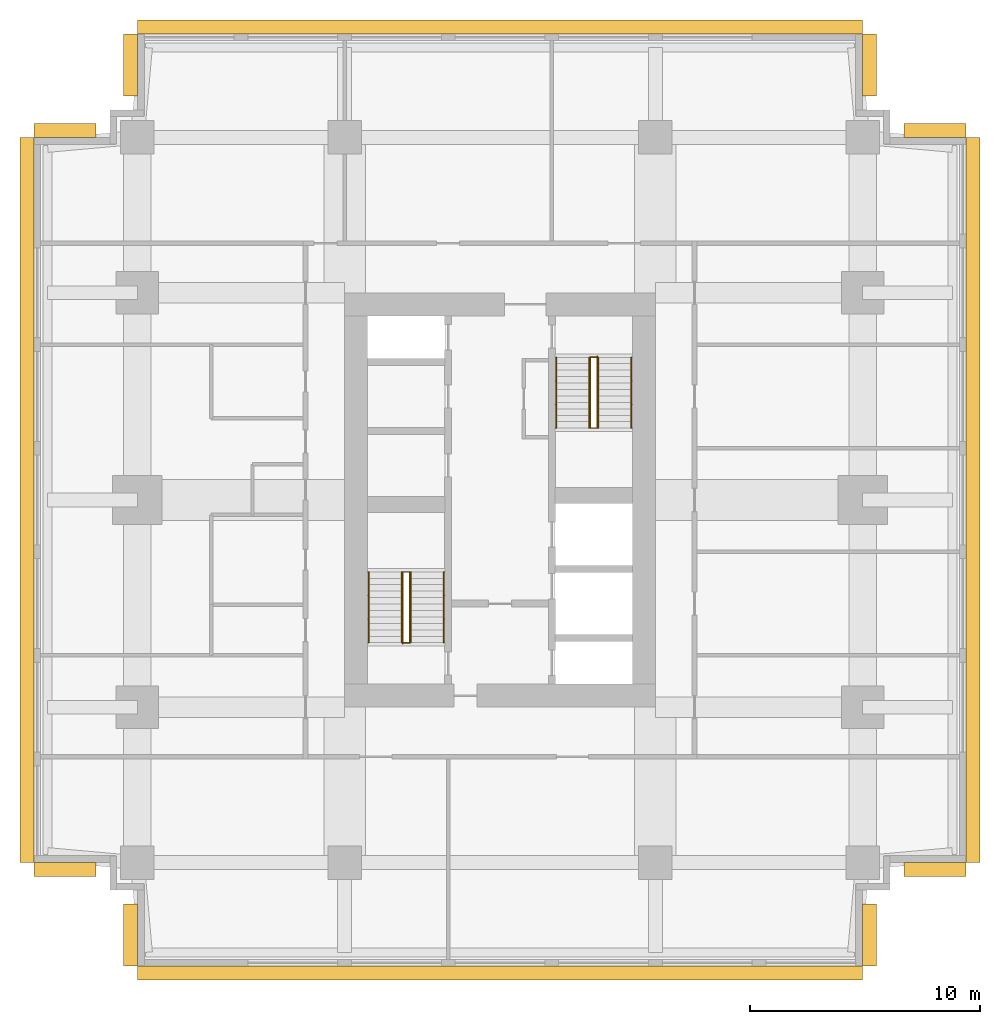
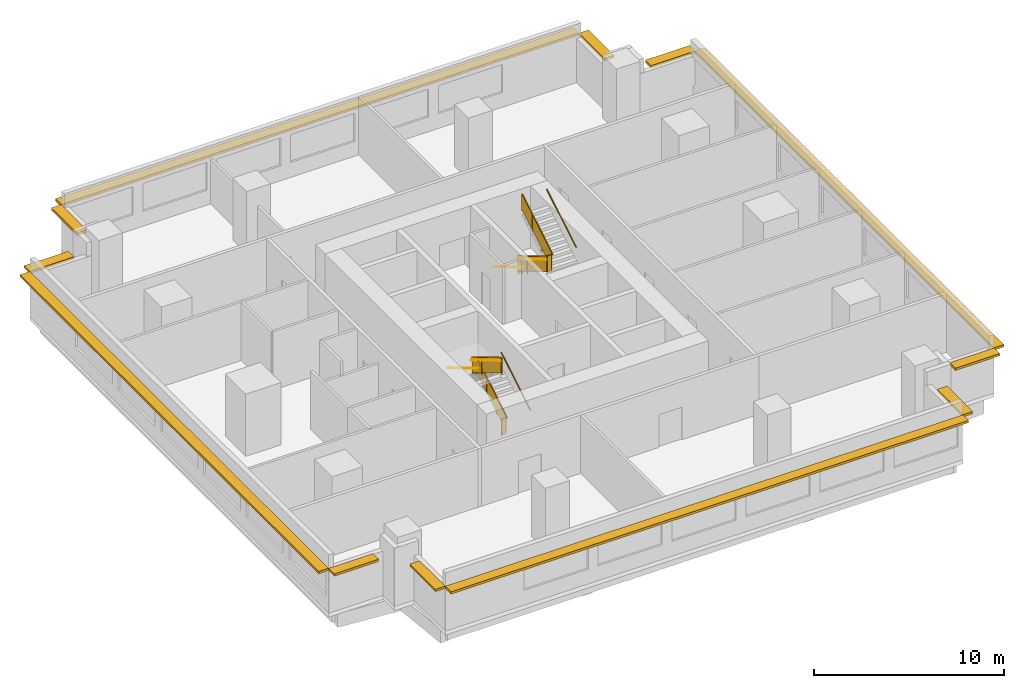
# One storey, part 5 of 5: 12 shading devices, 10 railings.
"""IFC4 building model written with IfcOpenShell, lengths in metres."""

import ifcopenshell
import ifcopenshell.guid

model = None  # the IFC model being written
_history = None  # IfcOwnerHistory: only IFC2X3 demands one
_inside = {}  # id of a spatial element -> (the spatial element, [elements in it])
_under = {}  # id of a project, library or spatial element -> (it, [spatial elements below it])
_declared = {}  # id of a project -> (the project, [libraries it declares])
_typed = {}  # id of a type object -> (the type object, [elements of that type])
_made_of = {}  # id of a material, layer set ... -> (it, [elements and type objects made of it])


def new_model(schema):
    """Start an empty IFC model of exactly this schema.

    Asked for "IFC4X3", IfcOpenShell would pick the latest addendum, in which some entities
    have other attributes; the version numbers below select the first issue.
    IFC2X3 requires an IfcOwnerHistory on every rooted entity: one is made here for all.
    """
    global model, _history
    if schema == "IFC4X3":
        model = ifcopenshell.file(schema_version=(4, 3, 0, 0))
    else:
        model = ifcopenshell.file(schema=schema)
    _inside.clear()
    _under.clear()
    _declared.clear()
    _typed.clear()
    _made_of.clear()
    _history = None
    if model.schema == "IFC2X3":
        org = make("IfcOrganization", Name="unknown")
        user = make(
            "IfcPersonAndOrganization",
            ThePerson=make("IfcPerson", FamilyName="unknown"),
            TheOrganization=org,
        )
        app = make(
            "IfcApplication",
            ApplicationDeveloper=org,
            Version="unknown",
            ApplicationFullName="unknown",
            ApplicationIdentifier="unknown",
        )
        _history = make(
            "IfcOwnerHistory",
            OwningUser=user,
            OwningApplication=app,
            ChangeAction="ADDED",
            CreationDate=0,
        )
    return model


def make(cls, **values):
    """One entity of the class cls with the attributes given. An attribute that is None is left unset."""
    return model.create_entity(
        cls, **{name: value for name, value in values.items() if value is not None}
    )


def rooted(cls, **values):
    """An entity with a GlobalId (a new one), such as an element, a storey or a relation."""
    return make(cls, GlobalId=ifcopenshell.guid.new(), OwnerHistory=_history, **values)


def si_unit(unit_type, name, prefix=None):
    """IfcSIUnit, for example si_unit("LENGTHUNIT", "METRE", prefix="MILLI")."""
    return make("IfcSIUnit", UnitType=unit_type, Prefix=prefix, Name=name)


def assignment(units):
    """IfcUnitAssignment: the units of a project."""
    return None if units is None else make("IfcUnitAssignment", Units=units)


def point(xyz):
    """IfcCartesianPoint."""
    return None if xyz is None else make("IfcCartesianPoint", Coordinates=xyz)


def direction(xyz):
    """IfcDirection."""
    return None if xyz is None else make("IfcDirection", DirectionRatios=xyz)


def frame(location, z_axis=None, x_axis=None):
    """IfcAxis2Placement3D, a coordinate frame: its origin and axes. An axis left out is left unset."""
    return make(
        "IfcAxis2Placement3D",
        Location=point(location),
        Axis=direction(z_axis),
        RefDirection=direction(x_axis),
    )


def frame_2d(location, x_axis=None):
    """IfcAxis2Placement2D, a coordinate frame in the plane: its origin and x axis."""
    return make(
        "IfcAxis2Placement2D", Location=point(location), RefDirection=direction(x_axis)
    )


def origin():
    """The frame at (0, 0, 0) with its axes left unset."""
    return frame((0.0, 0.0, 0.0))


def origin_2d():
    """The frame at (0, 0) in the plane with its x axis left unset."""
    return frame_2d((0.0, 0.0))


def place(relative_to, where):
    """IfcLocalPlacement: puts the frame where relative to a parent placement (None: the world)."""
    return make(
        "IfcLocalPlacement", PlacementRelTo=relative_to, RelativePlacement=where
    )


def context(
    kind, dimensions, precision=None, world=None, true_north=None, identifier=None
):
    """IfcGeometricRepresentationContext, for example the 3D "Model" context."""
    return make(
        "IfcGeometricRepresentationContext",
        ContextIdentifier=identifier,
        ContextType=kind,
        CoordinateSpaceDimension=dimensions,
        Precision=precision,
        WorldCoordinateSystem=world,
        TrueNorth=true_north,
    )


def subcontext(parent, identifier, kind, view, scale=None):
    """IfcGeometricRepresentationSubContext, for example "Body" below "Model"."""
    return make(
        "IfcGeometricRepresentationSubContext",
        ContextIdentifier=identifier,
        ContextType=kind,
        ParentContext=parent,
        TargetScale=scale,
        TargetView=view,
    )


def project(units=None, contexts=None):
    """IfcProject with its units and contexts."""
    return rooted(
        "IfcProject",
        Name="project",
        RepresentationContexts=contexts,
        UnitsInContext=assignment(units),
    )


def spatial(cls, under=None, at=None, **own):
    """A site, building, storey or space (cls), placed at a placement, below another one or the project."""
    s = rooted(cls, ObjectPlacement=at, **own)
    if under is not None:
        _under.setdefault(under.id(), (under, []))[1].append(s)
    return s


def polyline(points):
    """IfcPolyline through the points."""
    return make("IfcPolyline", Points=[point(p) for p in points])


def profile(cls, at=None, kind="AREA", **sizes):
    """A parametric profile (cls). Its sizes go by their IFC names, for example OverallWidth=200.0."""
    return make(cls, ProfileType=kind, Position=at, **sizes)


def rectangle(**sizes):
    """IfcRectangleProfileDef."""
    return profile("IfcRectangleProfileDef", **sizes)


def circle(**sizes):
    """IfcCircleProfileDef."""
    return profile("IfcCircleProfileDef", **sizes)


def outline(outer, holes=None, kind="AREA"):
    """IfcArbitraryClosedProfileDef: a profile drawn as a closed curve; with holes, ...WithVoids."""
    if holes is None:
        return make("IfcArbitraryClosedProfileDef", ProfileType=kind, OuterCurve=outer)
    return make(
        "IfcArbitraryProfileDefWithVoids",
        ProfileType=kind,
        OuterCurve=outer,
        InnerCurves=holes,
    )


def extrude(swept, where, along, depth):
    """IfcExtrudedAreaSolid: the profile swept, set in the frame where, extruded along a direction by depth."""
    return make(
        "IfcExtrudedAreaSolid",
        SweptArea=swept,
        Position=where,
        ExtrudedDirection=direction(along),
        Depth=depth,
    )


def shape(context_of_items, identifier, shape_type, items):
    """IfcShapeRepresentation: the items that make up one representation, for example the "Body"."""
    return make(
        "IfcShapeRepresentation",
        ContextOfItems=context_of_items,
        RepresentationIdentifier=identifier,
        RepresentationType=shape_type,
        Items=items,
    )


def material(Name=None, Category=None):
    """IfcMaterial."""
    return make("IfcMaterial", Name=Name, Category=Category)


def layer(
    of_material, thickness, ventilated=None, Name=None, Category=None, Priority=None
):
    """IfcMaterialLayer: one layer of a wall or slab, of a material (None: an air gap)."""
    return make(
        "IfcMaterialLayer",
        Material=of_material,
        LayerThickness=thickness,
        IsVentilated=ventilated,
        Name=Name,
        Category=Category,
        Priority=Priority,
    )


def layer_set(layers, Name=None):
    """IfcMaterialLayerSet."""
    return make("IfcMaterialLayerSet", MaterialLayers=layers, LayerSetName=Name)


def made_of(thing, what):
    """Note that an element or type object is made of a material, layer set ...; save() writes the relation."""
    if what is not None:
        _made_of.setdefault(what.id(), (what, []))[1].append(thing)
    return thing


def type_object(cls, material=None, **own):
    """A type object (cls), such as IfcWallType, which elements share."""
    return made_of(rooted(cls, **own), material)


def element(
    cls,
    number,
    at=None,
    inside=None,
    cuts=None,
    type_object=None,
    material=None,
    context=None,
    identifier="Body",
    shape_type=None,
    held_by="IfcProductDefinitionShape",
    body=None,
    shapes=None,
    **own,
):
    """One element of the class cls, such as IfcWall. Its Tag is "e" and its number.

    at: its placement. inside: the storey or other place that contains it. cuts: it is an
    opening in that element (IfcRelVoidsElement). A single representation is given by context,
    identifier, shape_type and body (its items); several are given by shapes. held_by: the class
    of the entity that holds the representations. save() writes the other relations.
    """
    e = rooted(cls, Tag="e%d" % number, ObjectPlacement=at, **own)
    if body is not None:
        shapes = [shape(context, identifier, shape_type, body)]
    if shapes is not None:
        e.Representation = make(held_by, Representations=shapes)
    if inside is not None:
        _inside.setdefault(inside.id(), (inside, []))[1].append(e)
    if cuts is not None:
        rooted(
            "IfcRelVoidsElement", RelatingBuildingElement=cuts, RelatedOpeningElement=e
        )
    if type_object is not None:
        _typed.setdefault(type_object.id(), (type_object, []))[1].append(e)
    return made_of(e, material)


def aggregate(whole, parts):
    """IfcRelAggregates: a whole, such as a stair, and the parts it consists of."""
    return rooted("IfcRelAggregates", RelatingObject=whole, RelatedObjects=parts)


def save(model, path):
    """Write the relations noted so far, then the file.

    IfcRelAggregates (storeys below a building ...), IfcRelContainedInSpatialStructure (elements
    in a storey), IfcRelDefinesByType, IfcRelAssociatesMaterial and IfcRelDeclares: one each for
    every whole, place, type object, material and project.
    """
    for whole, parts in _under.values():
        aggregate(whole, parts)
    for where, things in _inside.values():
        rooted(
            "IfcRelContainedInSpatialStructure",
            RelatedElements=things,
            RelatingStructure=where,
        )
    for kind, things in _typed.values():
        rooted("IfcRelDefinesByType", RelatedObjects=things, RelatingType=kind)
    for what, things in _made_of.values():
        rooted("IfcRelAssociatesMaterial", RelatedObjects=things, RelatingMaterial=what)
    for by, libraries in _declared.values():
        rooted("IfcRelDeclares", RelatingContext=by, RelatedDefinitions=libraries)
    model.write(path)


model = new_model("IFC4")

# Units and contexts
model_context = context("Model", 3, precision=1e-05, world=origin(), true_north=direction((0.0, 1.0)))
body_context = subcontext(model_context, "Body", "Model", "MODEL_VIEW")
ifc_project = project(units=[si_unit("LENGTHUNIT", "METRE"), si_unit("AREAUNIT", "SQUARE_METRE"), si_unit("VOLUMEUNIT", "CUBIC_METRE"), si_unit("PLANEANGLEUNIT", "RADIAN"), si_unit("MASSUNIT", "GRAM", prefix="KILO")], contexts=[model_context])

# Site, building, storey
site_placement = place(None, origin())
site = spatial("IfcSite", under=ifc_project, at=site_placement, CompositionType="ELEMENT")
building_placement = place(site_placement, origin())
building = spatial("IfcBuilding", under=site, at=building_placement, Name="Namib Vertical Campus", CompositionType="ELEMENT")
storey_placement = place(building_placement, frame((0.0, 0.0, 261.0)))
storey = spatial("IfcBuildingStorey", under=building, at=storey_placement, Name="L61", CompositionType="ELEMENT", Elevation=261.0)

# Railings
ifc_material_1 = material(Name="Steel handrail", Category="steel")
railing_type_1 = type_object("IfcRailingType", Name="Handrail 900", PredefinedType="HANDRAIL", material=ifc_material_1)
railing_1_placement = place(storey_placement, frame((17.800048828125, 14.050048828125, 0.166748046875)))
element("IfcRailing", 1, at=railing_1_placement, inside=storey, type_object=railing_type_1, Name="Handrail HR1 A-S1 L61 1", PredefinedType="HANDRAIL", context=body_context, shape_type="SweptSolid", body=[
    extrude(circle(Radius=0.02392578125, at=origin_2d()), frame((0.0, 0.0, 0.8759765625), z_axis=(0.0, 0.859290745958, 0.51148745235), x_axis=(-1.0, 0.0, 0.0)), (0.0, 0.0, 1.0), 3.584228515625),
    extrude(circle(Radius=0.008056640625, at=origin_2d()), frame((0.0, 0.0, 0.8759765625), z_axis=(1.0, 0.0, 0.0), x_axis=(0.0, 0.0, 1.0)), (0.0, 0.0, 1.0), 0.050048828125),
    extrude(circle(Radius=0.008056640625, at=origin_2d()), frame((0.0, 1.026611328125, 1.48681640625), z_axis=(1.0, 0.0, 0.0), x_axis=(0.0, 0.0, 1.0)), (0.0, 0.0, 1.0), 0.050048828125),
    extrude(circle(Radius=0.008056640625, at=origin_2d()), frame((0.0, 2.05322265625, 2.09814453125), z_axis=(1.0, 0.0, 0.0), x_axis=(0.0, 0.0, 1.0)), (0.0, 0.0, 1.0), 0.050048828125),
    extrude(circle(Radius=0.008056640625, at=origin_2d()), frame((0.0, 3.079833984375, 2.708984375), z_axis=(1.0, 0.0, 0.0), x_axis=(0.0, 0.0, 1.0)), (0.0, 0.0, 1.0), 0.050048828125),
])
railing_2_placement = place(storey_placement, frame((14.550048828125, 17.1298828125, 2.166748046875)))
element("IfcRailing", 2, at=railing_2_placement, inside=storey, type_object=railing_type_1, Name="Handrail HR1 A-S1 L61 2", PredefinedType="HANDRAIL", context=body_context, shape_type="SweptSolid", body=[
    extrude(circle(Radius=0.02392578125, at=origin_2d()), frame((0.0, 0.0, 0.8759765625), z_axis=(0.0, -0.859290745958, 0.51148745235), x_axis=(1.0, 0.0, 0.0)), (0.0, 0.0, 1.0), 3.584228515625),
    extrude(circle(Radius=0.008056640625, at=origin_2d()), frame((0.0, 0.0, 0.8759765625), z_axis=(-1.0, 0.0, 0.0), x_axis=(0.0, 0.0, 1.0)), (0.0, 0.0, 1.0), 0.050048828125),
    extrude(circle(Radius=0.008056640625, at=origin_2d()), frame((0.0, -1.026611328125, 1.48681640625), z_axis=(-1.0, 0.0, 0.0), x_axis=(0.0, 0.0, 1.0)), (0.0, 0.0, 1.0), 0.050048828125),
    extrude(circle(Radius=0.008056640625, at=origin_2d()), frame((0.0, -2.05322265625, 2.09814453125), z_axis=(-1.0, 0.0, 0.0), x_axis=(0.0, 0.0, 1.0)), (0.0, 0.0, 1.0), 0.050048828125),
    extrude(circle(Radius=0.008056640625, at=origin_2d()), frame((0.0, -3.079833984375, 2.708984375), z_axis=(-1.0, 0.0, 0.0), x_axis=(0.0, 0.0, 1.0)), (0.0, 0.0, 1.0), 0.050048828125),
])
railing_3_placement = place(storey_placement, frame((16.375, 14.050048828125, 0.166748046875)))
element("IfcRailing", 3, at=railing_3_placement, inside=storey, type_object=railing_type_1, Name="Handrail HR1 A-S1 L61 1 at the well", PredefinedType="HANDRAIL", context=body_context, shape_type="SweptSolid", body=[
    extrude(circle(Radius=0.02392578125, at=origin_2d()), frame((0.0, 0.0, 0.8759765625), z_axis=(0.0, 0.859290745958, 0.51148745235), x_axis=(-1.0, 0.0, 0.0)), (0.0, 0.0, 1.0), 3.584228515625),
    extrude(circle(Radius=0.008056640625, at=origin_2d()), frame((0.0, 0.0, 0.8759765625), z_axis=(-1.0, 0.0, 0.0), x_axis=(0.0, 0.0, 1.0)), (0.0, 0.0, 1.0), 0.0400390625),
    extrude(circle(Radius=0.008056640625, at=origin_2d()), frame((0.0, 1.026611328125, 1.48681640625), z_axis=(-1.0, 0.0, 0.0), x_axis=(0.0, 0.0, 1.0)), (0.0, 0.0, 1.0), 0.0400390625),
    extrude(circle(Radius=0.008056640625, at=origin_2d()), frame((0.0, 2.05322265625, 2.09814453125), z_axis=(-1.0, 0.0, 0.0), x_axis=(0.0, 0.0, 1.0)), (0.0, 0.0, 1.0), 0.0400390625),
    extrude(circle(Radius=0.008056640625, at=origin_2d()), frame((0.0, 3.079833984375, 2.708984375), z_axis=(-1.0, 0.0, 0.0), x_axis=(0.0, 0.0, 1.0)), (0.0, 0.0, 1.0), 0.0400390625),
])
railing_4_placement = place(storey_placement, frame((15.97509765625, 17.1298828125, 2.166748046875)))
element("IfcRailing", 4, at=railing_4_placement, inside=storey, type_object=railing_type_1, Name="Handrail HR1 A-S1 L61 2 at the well", PredefinedType="HANDRAIL", context=body_context, shape_type="SweptSolid", body=[
    extrude(circle(Radius=0.02392578125, at=origin_2d()), frame((0.0, 0.0, 0.8759765625), z_axis=(0.0, -0.859290745958, 0.51148745235), x_axis=(1.0, 0.0, 0.0)), (0.0, 0.0, 1.0), 3.584228515625),
    extrude(circle(Radius=0.008056640625, at=origin_2d()), frame((0.0, 0.0, 0.8759765625), z_axis=(1.0, 0.0, 0.0), x_axis=(0.0, 0.0, 1.0)), (0.0, 0.0, 1.0), 0.0400390625),
    extrude(circle(Radius=0.008056640625, at=origin_2d()), frame((0.0, -1.026611328125, 1.48681640625), z_axis=(1.0, 0.0, 0.0), x_axis=(0.0, 0.0, 1.0)), (0.0, 0.0, 1.0), 0.0400390625),
    extrude(circle(Radius=0.008056640625, at=origin_2d()), frame((0.0, -2.05322265625, 2.09814453125), z_axis=(1.0, 0.0, 0.0), x_axis=(0.0, 0.0, 1.0)), (0.0, 0.0, 1.0), 0.0400390625),
    extrude(circle(Radius=0.008056640625, at=origin_2d()), frame((0.0, -3.079833984375, 2.708984375), z_axis=(1.0, 0.0, 0.0), x_axis=(0.0, 0.0, 1.0)), (0.0, 0.0, 1.0), 0.0400390625),
])
railing_5_placement = place(storey_placement, frame((22.699951171875, 26.449951171875, 0.166748046875)))
element("IfcRailing", 5, at=railing_5_placement, inside=storey, type_object=railing_type_1, Name="Handrail HR1 A-S2 L61 1", PredefinedType="HANDRAIL", context=body_context, shape_type="SweptSolid", body=[
    extrude(circle(Radius=0.02392578125, at=origin_2d()), frame((0.0, 0.0, 0.8759765625), z_axis=(0.0, -0.859290745958, 0.51148745235), x_axis=(1.0, 0.0, 0.0)), (0.0, 0.0, 1.0), 3.584228515625),
    extrude(circle(Radius=0.008056640625, at=origin_2d()), frame((0.0, 0.0, 0.8759765625), z_axis=(-1.0, 0.0, 0.0), x_axis=(0.0, 0.0, 1.0)), (0.0, 0.0, 1.0), 0.050048828125),
    extrude(circle(Radius=0.008056640625, at=origin_2d()), frame((0.0, -1.026611328125, 1.48681640625), z_axis=(-1.0, 0.0, 0.0), x_axis=(0.0, 0.0, 1.0)), (0.0, 0.0, 1.0), 0.050048828125),
    extrude(circle(Radius=0.008056640625, at=origin_2d()), frame((0.0, -2.05322265625, 2.09814453125), z_axis=(-1.0, 0.0, 0.0), x_axis=(0.0, 0.0, 1.0)), (0.0, 0.0, 1.0), 0.050048828125),
    extrude(circle(Radius=0.008056640625, at=origin_2d()), frame((0.0, -3.079833984375, 2.708984375), z_axis=(-1.0, 0.0, 0.0), x_axis=(0.0, 0.0, 1.0)), (0.0, 0.0, 1.0), 0.050048828125),
])
railing_6_placement = place(storey_placement, frame((25.949951171875, 23.3701171875, 2.166748046875)))
element("IfcRailing", 6, at=railing_6_placement, inside=storey, type_object=railing_type_1, Name="Handrail HR1 A-S2 L61 2", PredefinedType="HANDRAIL", context=body_context, shape_type="SweptSolid", body=[
    extrude(circle(Radius=0.02392578125, at=origin_2d()), frame((0.0, 0.0, 0.8759765625), z_axis=(0.0, 0.859290745958, 0.51148745235), x_axis=(-1.0, 0.0, 0.0)), (0.0, 0.0, 1.0), 3.584228515625),
    extrude(circle(Radius=0.008056640625, at=origin_2d()), frame((0.0, 0.0, 0.8759765625), z_axis=(1.0, 0.0, 0.0), x_axis=(0.0, 0.0, 1.0)), (0.0, 0.0, 1.0), 0.050048828125),
    extrude(circle(Radius=0.008056640625, at=origin_2d()), frame((0.0, 1.026611328125, 1.48681640625), z_axis=(1.0, 0.0, 0.0), x_axis=(0.0, 0.0, 1.0)), (0.0, 0.0, 1.0), 0.050048828125),
    extrude(circle(Radius=0.008056640625, at=origin_2d()), frame((0.0, 2.05322265625, 2.09814453125), z_axis=(1.0, 0.0, 0.0), x_axis=(0.0, 0.0, 1.0)), (0.0, 0.0, 1.0), 0.050048828125),
    extrude(circle(Radius=0.008056640625, at=origin_2d()), frame((0.0, 3.079833984375, 2.708984375), z_axis=(1.0, 0.0, 0.0), x_axis=(0.0, 0.0, 1.0)), (0.0, 0.0, 1.0), 0.050048828125),
])
railing_7_placement = place(storey_placement, frame((24.125, 26.449951171875, 0.166748046875)))
element("IfcRailing", 7, at=railing_7_placement, inside=storey, type_object=railing_type_1, Name="Handrail HR1 A-S2 L61 1 at the well", PredefinedType="HANDRAIL", context=body_context, shape_type="SweptSolid", body=[
    extrude(circle(Radius=0.02392578125, at=origin_2d()), frame((0.0, 0.0, 0.8759765625), z_axis=(0.0, -0.859290745958, 0.51148745235), x_axis=(1.0, 0.0, 0.0)), (0.0, 0.0, 1.0), 3.584228515625),
    extrude(circle(Radius=0.008056640625, at=origin_2d()), frame((0.0, 0.0, 0.8759765625), z_axis=(1.0, 0.0, 0.0), x_axis=(0.0, 0.0, 1.0)), (0.0, 0.0, 1.0), 0.0400390625),
    extrude(circle(Radius=0.008056640625, at=origin_2d()), frame((0.0, -1.026611328125, 1.48681640625), z_axis=(1.0, 0.0, 0.0), x_axis=(0.0, 0.0, 1.0)), (0.0, 0.0, 1.0), 0.0400390625),
    extrude(circle(Radius=0.008056640625, at=origin_2d()), frame((0.0, -2.05322265625, 2.09814453125), z_axis=(1.0, 0.0, 0.0), x_axis=(0.0, 0.0, 1.0)), (0.0, 0.0, 1.0), 0.0400390625),
    extrude(circle(Radius=0.008056640625, at=origin_2d()), frame((0.0, -3.079833984375, 2.708984375), z_axis=(1.0, 0.0, 0.0), x_axis=(0.0, 0.0, 1.0)), (0.0, 0.0, 1.0), 0.0400390625),
])
railing_8_placement = place(storey_placement, frame((24.52490234375, 23.3701171875, 2.166748046875)))
element("IfcRailing", 8, at=railing_8_placement, inside=storey, type_object=railing_type_1, Name="Handrail HR1 A-S2 L61 2 at the well", PredefinedType="HANDRAIL", context=body_context, shape_type="SweptSolid", body=[
    extrude(circle(Radius=0.02392578125, at=origin_2d()), frame((0.0, 0.0, 0.8759765625), z_axis=(0.0, 0.859290745958, 0.51148745235), x_axis=(-1.0, 0.0, 0.0)), (0.0, 0.0, 1.0), 3.584228515625),
    extrude(circle(Radius=0.008056640625, at=origin_2d()), frame((0.0, 0.0, 0.8759765625), z_axis=(-1.0, 0.0, 0.0), x_axis=(0.0, 0.0, 1.0)), (0.0, 0.0, 1.0), 0.0400390625),
    extrude(circle(Radius=0.008056640625, at=origin_2d()), frame((0.0, 1.026611328125, 1.48681640625), z_axis=(-1.0, 0.0, 0.0), x_axis=(0.0, 0.0, 1.0)), (0.0, 0.0, 1.0), 0.0400390625),
    extrude(circle(Radius=0.008056640625, at=origin_2d()), frame((0.0, 2.05322265625, 2.09814453125), z_axis=(-1.0, 0.0, 0.0), x_axis=(0.0, 0.0, 1.0)), (0.0, 0.0, 1.0), 0.0400390625),
    extrude(circle(Radius=0.008056640625, at=origin_2d()), frame((0.0, 3.079833984375, 2.708984375), z_axis=(-1.0, 0.0, 0.0), x_axis=(0.0, 0.0, 1.0)), (0.0, 0.0, 1.0), 0.0400390625),
])
ifc_material_2 = material(Name="Steel balustrade", Category="steel")
railing_type_2 = type_object("IfcRailingType", Name="Stair guard 1100", PredefinedType="GUARDRAIL", material=ifc_material_2)
railing_9_placement = place(storey_placement, frame((16.02490234375, 14.050048828125, 0.0)))
element("IfcRailing", 9, at=railing_9_placement, inside=storey, type_object=railing_type_2, Name="Stair guard GR1 A-S1 L61", PredefinedType="GUARDRAIL", context=body_context, shape_type="SweptSolid", body=[
    extrude(circle(Radius=0.02392578125, at=origin_2d()), frame((0.0, 0.0, 1.076171875), z_axis=(1.0, 0.0, 0.0), x_axis=(0.0, 1.0, 0.0)), (0.0, 0.0, 1.0), 0.300048828125),
    extrude(outline(polyline([(0.02099609375, 0.050048828125), (0.279052734375, 0.050048828125), (0.279052734375, 1.052001953125), (0.02099609375, 1.052001953125), (0.02099609375, 0.050048828125)])), frame((0.0, 0.010009765625, 0.0), z_axis=(0.0, -1.0, 0.0), x_axis=(1.0, 0.0, 0.0)), (0.0, 0.0, 1.0), 0.02001953125),
    extrude(circle(Radius=0.02392578125, at=origin_2d()), frame((0.300048828125, 0.0, 1.076171875), z_axis=(0.0, 0.0, 1.0), x_axis=(1.0, 0.0, 0.0)), (0.0, 0.0, 1.0), 0.166748046875),
    extrude(circle(Radius=0.02392578125, at=origin_2d()), frame((0.300048828125, 0.0, 1.24267578125), z_axis=(0.0, 0.859290745958, 0.51148745235), x_axis=(-1.0, 0.0, 0.0)), (0.0, 0.0, 1.0), 3.584228515625),
    extrude(outline(polyline([(0.02099609375, 0.0625), (3.058837890625, 1.870849609375), (3.058837890625, 2.872802734375), (0.02099609375, 1.064453125), (0.02099609375, 0.0625)])), frame((0.2900390625, 0.0, 0.166748046875), z_axis=(1.0, 0.0, 0.0), x_axis=(0.0, 1.0, 0.0)), (0.0, 0.0, 1.0), 0.02001953125),
    extrude(circle(Radius=0.02392578125, at=origin_2d()), frame((0.300048828125, 3.079833984375, 3.076171875), z_axis=(-1.0, 0.0, 0.0), x_axis=(0.0, -1.0, 0.0)), (0.0, 0.0, 1.0), 0.300048828125),
    extrude(outline(polyline([(0.02099609375, 0.050048828125), (0.279052734375, 0.050048828125), (0.279052734375, 1.052001953125), (0.02099609375, 1.052001953125), (0.02099609375, 0.050048828125)])), frame((0.300048828125, 3.06982421875, 2.0), z_axis=(0.0, 1.0, 0.0), x_axis=(-1.0, 0.0, 0.0)), (0.0, 0.0, 1.0), 0.02001953125),
    extrude(circle(Radius=0.02392578125, at=origin_2d()), frame((0.0, 3.079833984375, 3.076171875), z_axis=(0.0, 0.0, 1.0), x_axis=(1.0, 0.0, 0.0)), (0.0, 0.0, 1.0), 0.166748046875),
    extrude(circle(Radius=0.02392578125, at=origin_2d()), frame((0.0, 3.079833984375, 3.24267578125), z_axis=(0.0, -0.859290745958, 0.51148745235), x_axis=(1.0, 0.0, 0.0)), (0.0, 0.0, 1.0), 3.584228515625),
    extrude(outline(polyline([(0.02099609375, 0.0625), (3.058837890625, 1.870849609375), (3.058837890625, 2.872802734375), (0.02099609375, 1.064453125), (0.02099609375, 0.0625)])), frame((0.010009765625, 3.079833984375, 2.166748046875), z_axis=(-1.0, 0.0, 0.0), x_axis=(0.0, -1.0, 0.0)), (0.0, 0.0, 1.0), 0.02001953125),
    extrude(circle(Radius=0.02392578125, at=origin_2d()), frame((0.0, 0.0, 5.076171875), z_axis=(0.0, -1.0, 0.0), x_axis=(1.0, 0.0, 0.0)), (0.0, 0.0, 1.0), 0.050048828125),
    extrude(outline(polyline([(0.02099609375, 0.050048828125), (0.029052734375, 0.050048828125), (0.029052734375, 1.052001953125), (0.02099609375, 1.052001953125), (0.02099609375, 0.050048828125)])), frame((0.010009765625, 0.0, 4.0), z_axis=(-1.0, 0.0, 0.0), x_axis=(0.0, -1.0, 0.0)), (0.0, 0.0, 1.0), 0.02001953125),
    extrude(circle(Radius=0.02099609375, at=origin_2d()), origin(), (0.0, 0.0, 1.0), 1.052001953125),
    extrude(circle(Radius=0.02099609375, at=origin_2d()), frame((0.300048828125, 0.0, 0.166748046875)), (0.0, 0.0, 1.0), 1.052001953125),
    extrude(circle(Radius=0.02099609375, at=origin_2d()), frame((0.300048828125, 1.026611328125, 0.666748046875)), (0.0, 0.0, 1.0), 1.1630859375),
    extrude(circle(Radius=0.02099609375, at=origin_2d()), frame((0.300048828125, 2.05322265625, 1.33349609375)), (0.0, 0.0, 1.0), 1.107421875),
    extrude(circle(Radius=0.02099609375, at=origin_2d()), frame((0.300048828125, 3.079833984375, 2.0)), (0.0, 0.0, 1.0), 1.052001953125),
    extrude(circle(Radius=0.02099609375, at=origin_2d()), frame((0.0, 3.079833984375, 2.166748046875)), (0.0, 0.0, 1.0), 1.052001953125),
    extrude(circle(Radius=0.02099609375, at=origin_2d()), frame((0.0, 2.05322265625, 2.666748046875)), (0.0, 0.0, 1.0), 1.1630859375),
    extrude(circle(Radius=0.02099609375, at=origin_2d()), frame((0.0, 1.026611328125, 3.33349609375)), (0.0, 0.0, 1.0), 1.107421875),
    extrude(circle(Radius=0.02099609375, at=origin_2d()), frame((0.0, 0.0, 4.0)), (0.0, 0.0, 1.0), 1.052001953125),
    extrude(circle(Radius=0.02099609375, at=origin_2d()), frame((0.0, -0.050048828125, 4.0)), (0.0, 0.0, 1.0), 1.052001953125),
])
railing_10_placement = place(storey_placement, frame((24.47509765625, 26.449951171875, 0.0)))
element("IfcRailing", 10, at=railing_10_placement, inside=storey, type_object=railing_type_2, Name="Stair guard GR1 A-S2 L61", PredefinedType="GUARDRAIL", context=body_context, shape_type="SweptSolid", body=[
    extrude(circle(Radius=0.02392578125, at=origin_2d()), frame((0.0, 0.0, 1.076171875), z_axis=(-1.0, 0.0, 0.0), x_axis=(0.0, -1.0, 0.0)), (0.0, 0.0, 1.0), 0.300048828125),
    extrude(outline(polyline([(0.02099609375, 0.050048828125), (0.279052734375, 0.050048828125), (0.279052734375, 1.052001953125), (0.02099609375, 1.052001953125), (0.02099609375, 0.050048828125)])), frame((0.0, -0.010009765625, 0.0), z_axis=(0.0, 1.0, 0.0), x_axis=(-1.0, 0.0, 0.0)), (0.0, 0.0, 1.0), 0.02001953125),
    extrude(circle(Radius=0.02392578125, at=origin_2d()), frame((-0.300048828125, 0.0, 1.076171875), z_axis=(0.0, 0.0, 1.0), x_axis=(1.0, 0.0, 0.0)), (0.0, 0.0, 1.0), 0.166748046875),
    extrude(circle(Radius=0.02392578125, at=origin_2d()), frame((-0.300048828125, 0.0, 1.24267578125), z_axis=(0.0, -0.859290745958, 0.51148745235), x_axis=(1.0, 0.0, 0.0)), (0.0, 0.0, 1.0), 3.584228515625),
    extrude(outline(polyline([(0.02099609375, 0.0625), (3.058837890625, 1.870849609375), (3.058837890625, 2.872802734375), (0.02099609375, 1.064453125), (0.02099609375, 0.0625)])), frame((-0.2900390625, 0.0, 0.166748046875), z_axis=(-1.0, 0.0, 0.0), x_axis=(0.0, -1.0, 0.0)), (0.0, 0.0, 1.0), 0.02001953125),
    extrude(circle(Radius=0.02392578125, at=origin_2d()), frame((-0.300048828125, -3.079833984375, 3.076171875), z_axis=(1.0, 0.0, 0.0), x_axis=(0.0, 1.0, 0.0)), (0.0, 0.0, 1.0), 0.300048828125),
    extrude(outline(polyline([(0.02099609375, 0.050048828125), (0.279052734375, 0.050048828125), (0.279052734375, 1.052001953125), (0.02099609375, 1.052001953125), (0.02099609375, 0.050048828125)])), frame((-0.300048828125, -3.06982421875, 2.0), z_axis=(0.0, -1.0, 0.0), x_axis=(1.0, 0.0, 0.0)), (0.0, 0.0, 1.0), 0.02001953125),
    extrude(circle(Radius=0.02392578125, at=origin_2d()), frame((0.0, -3.079833984375, 3.076171875), z_axis=(0.0, 0.0, 1.0), x_axis=(1.0, 0.0, 0.0)), (0.0, 0.0, 1.0), 0.166748046875),
    extrude(circle(Radius=0.02392578125, at=origin_2d()), frame((0.0, -3.079833984375, 3.24267578125), z_axis=(0.0, 0.859290745958, 0.51148745235), x_axis=(-1.0, 0.0, 0.0)), (0.0, 0.0, 1.0), 3.584228515625),
    extrude(outline(polyline([(0.02099609375, 0.0625), (3.058837890625, 1.870849609375), (3.058837890625, 2.872802734375), (0.02099609375, 1.064453125), (0.02099609375, 0.0625)])), frame((-0.010009765625, -3.079833984375, 2.166748046875), z_axis=(1.0, 0.0, 0.0), x_axis=(0.0, 1.0, 0.0)), (0.0, 0.0, 1.0), 0.02001953125),
    extrude(circle(Radius=0.02392578125, at=origin_2d()), frame((0.0, 0.0, 5.076171875), z_axis=(0.0, 1.0, 0.0), x_axis=(-1.0, 0.0, 0.0)), (0.0, 0.0, 1.0), 0.050048828125),
    extrude(outline(polyline([(0.02099609375, 0.050048828125), (0.029052734375, 0.050048828125), (0.029052734375, 1.052001953125), (0.02099609375, 1.052001953125), (0.02099609375, 0.050048828125)])), frame((-0.010009765625, 0.0, 4.0), z_axis=(1.0, 0.0, 0.0), x_axis=(0.0, 1.0, 0.0)), (0.0, 0.0, 1.0), 0.02001953125),
    extrude(circle(Radius=0.02099609375, at=origin_2d()), origin(), (0.0, 0.0, 1.0), 1.052001953125),
    extrude(circle(Radius=0.02099609375, at=origin_2d()), frame((-0.300048828125, 0.0, 0.166748046875)), (0.0, 0.0, 1.0), 1.052001953125),
    extrude(circle(Radius=0.02099609375, at=origin_2d()), frame((-0.300048828125, -1.026611328125, 0.666748046875)), (0.0, 0.0, 1.0), 1.1630859375),
    extrude(circle(Radius=0.02099609375, at=origin_2d()), frame((-0.300048828125, -2.05322265625, 1.33349609375)), (0.0, 0.0, 1.0), 1.107421875),
    extrude(circle(Radius=0.02099609375, at=origin_2d()), frame((-0.300048828125, -3.079833984375, 2.0)), (0.0, 0.0, 1.0), 1.052001953125),
    extrude(circle(Radius=0.02099609375, at=origin_2d()), frame((0.0, -3.079833984375, 2.166748046875)), (0.0, 0.0, 1.0), 1.052001953125),
    extrude(circle(Radius=0.02099609375, at=origin_2d()), frame((0.0, -2.05322265625, 2.666748046875)), (0.0, 0.0, 1.0), 1.1630859375),
    extrude(circle(Radius=0.02099609375, at=origin_2d()), frame((0.0, -1.026611328125, 3.33349609375)), (0.0, 0.0, 1.0), 1.107421875),
    extrude(circle(Radius=0.02099609375, at=origin_2d()), frame((0.0, 0.0, 4.0)), (0.0, 0.0, 1.0), 1.052001953125),
    extrude(circle(Radius=0.02099609375, at=origin_2d()), frame((0.0, 0.050048828125, 4.0)), (0.0, 0.0, 1.0), 1.052001953125),
])

# Shading devices
ifc_material_3 = material(Name="Concrete C40/50 precast", Category="concrete")
ifc_layer = layer(ifc_material_3, 0.14990234375)
ifc_layer_set = layer_set([ifc_layer], Name="Concrete C40/50 precast")
shading_device_type = type_object("IfcShadingDeviceType", Name="Sunshade hood 600", PredefinedType="SHUTTER", material=ifc_layer_set)
shading_device_1_placement = place(storey_placement, frame((20.25, -0.300048828125, 2.75), z_axis=(0.0, 0.0, 1.0), x_axis=(1.0, 0.0, 0.0)))
element("IfcShadingDevice", 11, at=shading_device_1_placement, inside=storey, type_object=shading_device_type, Name="Sunshade SH3 L61 1", PredefinedType="SHUTTER", context=body_context, shape_type="SweptSolid", body=[
    extrude(rectangle(XDim=31.5, YDim=0.60009765625, at=origin_2d()), origin(), (0.0, 0.0, 1.0), 0.14990234375),
])
for number, where, z_axis, x_axis, name in (
    (12, (36.300048828125, 1.35009765625, 2.75), (0.0, 0.0, 1.0), (0.0, 1.0, 0.0), "Sunshade SH3 L61 2"),
    (13, (39.14990234375, 4.199951171875, 2.75), (0.0, 0.0, 1.0), (1.0, 0.0, 0.0), "Sunshade SH3 L61 5"),
):
    element("IfcShadingDevice", number, at=place(storey_placement, frame(where, z_axis=z_axis, x_axis=x_axis)), inside=storey, type_object=shading_device_type, Name=name, PredefinedType="SHUTTER", context=body_context, shape_type="SweptSolid", body=[
        extrude(rectangle(XDim=2.699951171875, YDim=0.60009765625, at=origin_2d()), origin(), (0.0, 0.0, 1.0), 0.14990234375),
    ])
shading_device_2_placement = place(storey_placement, frame((40.800048828125, 20.25, 2.75), z_axis=(0.0, 0.0, 1.0), x_axis=(0.0, 1.0, 0.0)))
element("IfcShadingDevice", 14, at=shading_device_2_placement, inside=storey, type_object=shading_device_type, Name="Sunshade SH3 L61 6", PredefinedType="SHUTTER", context=body_context, shape_type="SweptSolid", body=[
    extrude(rectangle(XDim=31.5, YDim=0.60009765625, at=origin_2d()), origin(), (0.0, 0.0, 1.0), 0.14990234375),
])
for number, where, z_axis, x_axis, name in (
    (15, (39.14990234375, 36.300048828125, 2.75), (0.0, 0.0, 1.0), (-1.0, 0.0, 0.0), "Sunshade SH3 L61 7"),
    (16, (36.300048828125, 39.14990234375, 2.75), (0.0, 0.0, 1.0), (0.0, 1.0, 0.0), "Sunshade SH3 L61 10"),
):
    element("IfcShadingDevice", number, at=place(storey_placement, frame(where, z_axis=z_axis, x_axis=x_axis)), inside=storey, type_object=shading_device_type, Name=name, PredefinedType="SHUTTER", context=body_context, shape_type="SweptSolid", body=[
        extrude(rectangle(XDim=2.699951171875, YDim=0.60009765625, at=origin_2d()), origin(), (0.0, 0.0, 1.0), 0.14990234375),
    ])
shading_device_3_placement = place(storey_placement, frame((20.25, 40.800048828125, 2.75), z_axis=(0.0, 0.0, 1.0), x_axis=(-1.0, 0.0, 0.0)))
element("IfcShadingDevice", 17, at=shading_device_3_placement, inside=storey, type_object=shading_device_type, Name="Sunshade SH3 L61 11", PredefinedType="SHUTTER", context=body_context, shape_type="SweptSolid", body=[
    extrude(rectangle(XDim=31.5, YDim=0.60009765625, at=origin_2d()), origin(), (0.0, 0.0, 1.0), 0.14990234375),
])
for number, where, z_axis, x_axis, name in (
    (18, (4.199951171875, 39.14990234375, 2.75), (0.0, 0.0, 1.0), (0.0, -1.0, 0.0), "Sunshade SH3 L61 12"),
    (19, (1.35009765625, 36.300048828125, 2.75), (0.0, 0.0, 1.0), (-1.0, 0.0, 0.0), "Sunshade SH3 L61 15"),
):
    element("IfcShadingDevice", number, at=place(storey_placement, frame(where, z_axis=z_axis, x_axis=x_axis)), inside=storey, type_object=shading_device_type, Name=name, PredefinedType="SHUTTER", context=body_context, shape_type="SweptSolid", body=[
        extrude(rectangle(XDim=2.699951171875, YDim=0.60009765625, at=origin_2d()), origin(), (0.0, 0.0, 1.0), 0.14990234375),
    ])
shading_device_4_placement = place(storey_placement, frame((-0.300048828125, 20.25, 2.75), z_axis=(0.0, 0.0, 1.0), x_axis=(0.0, -1.0, 0.0)))
element("IfcShadingDevice", 20, at=shading_device_4_placement, inside=storey, type_object=shading_device_type, Name="Sunshade SH3 L61 16", PredefinedType="SHUTTER", context=body_context, shape_type="SweptSolid", body=[
    extrude(rectangle(XDim=31.5, YDim=0.60009765625, at=origin_2d()), origin(), (0.0, 0.0, 1.0), 0.14990234375),
])
for number, where, z_axis, x_axis, name in (
    (21, (1.35009765625, 4.199951171875, 2.75), (0.0, 0.0, 1.0), (1.0, 0.0, 0.0), "Sunshade SH3 L61 17"),
    (22, (4.199951171875, 1.35009765625, 2.75), (0.0, 0.0, 1.0), (0.0, -1.0, 0.0), "Sunshade SH3 L61 20"),
):
    element("IfcShadingDevice", number, at=place(storey_placement, frame(where, z_axis=z_axis, x_axis=x_axis)), inside=storey, type_object=shading_device_type, Name=name, PredefinedType="SHUTTER", context=body_context, shape_type="SweptSolid", body=[
        extrude(rectangle(XDim=2.699951171875, YDim=0.60009765625, at=origin_2d()), origin(), (0.0, 0.0, 1.0), 0.14990234375),
    ])

save(model, "model.ifc")
